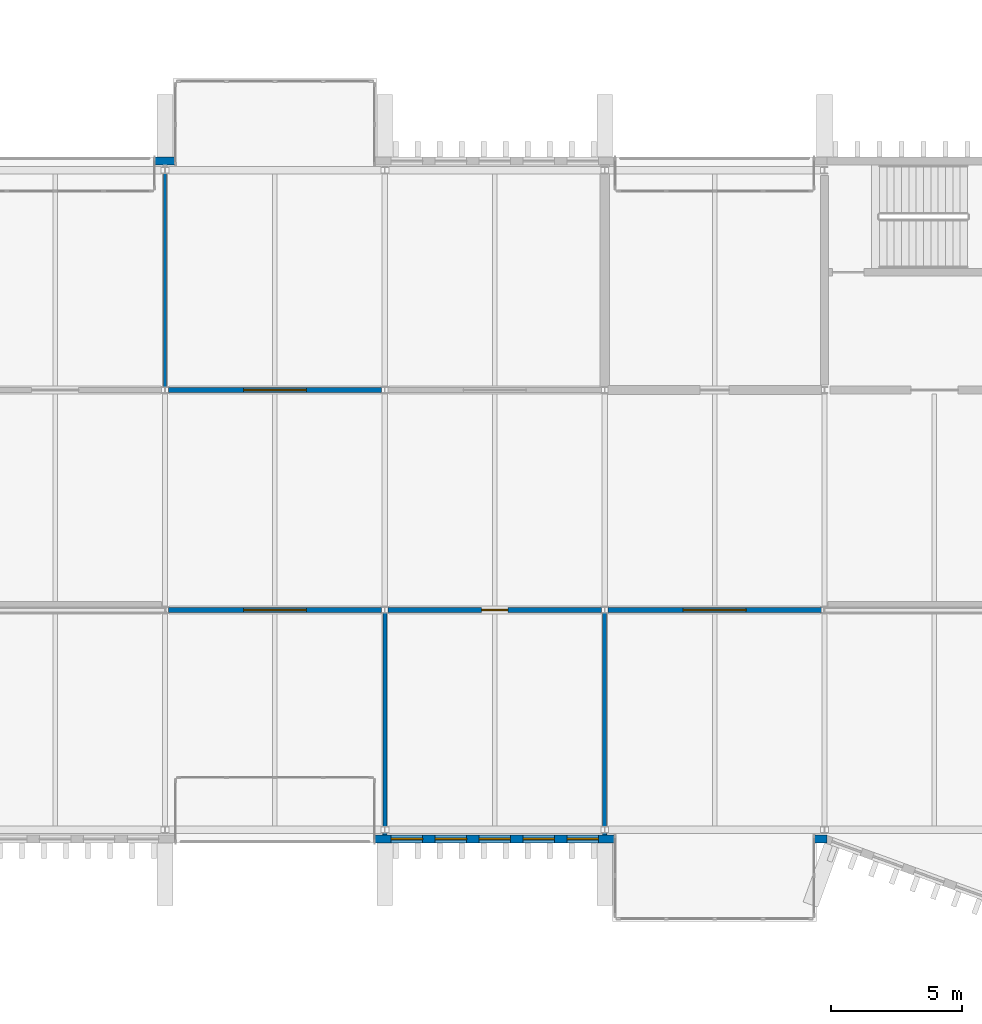
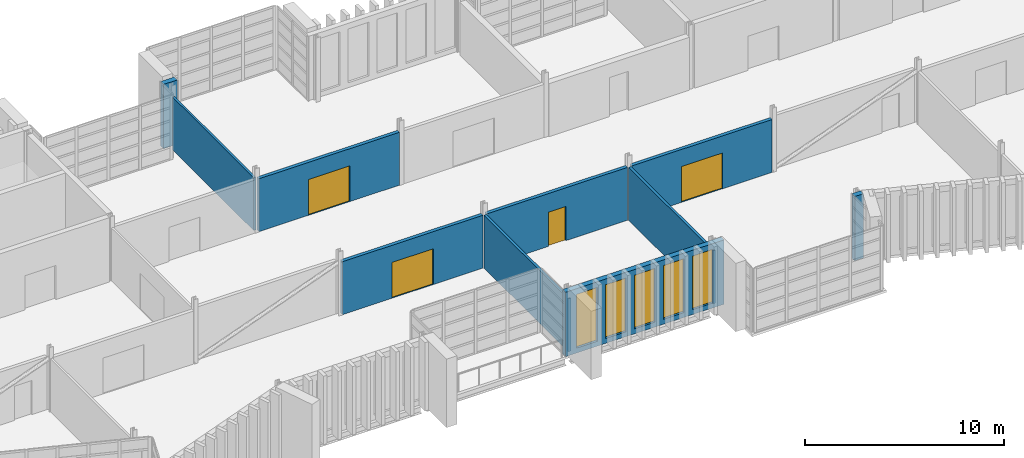
# One storey, part 57 of 88: 12 walls, 5 windows, 4 doors, 9 openings.
"""IFC4 building model written with IfcOpenShell, lengths in metres."""

from ifc_helpers import new_model, si_unit, direction, frame, frame_2d, origin, place, context, subcontext, project, spatial, rectangle, extrude, material, layer, layer_set, type_object, element, fill, save


model = new_model("IFC4")

# Units and contexts
model_context = context("Model", 3, precision=1e-05, world=origin(), true_north=direction((0.0, 1.0)))
body_context = subcontext(model_context, "Body", "Model", "MODEL_VIEW")
ifc_project = project(units=[si_unit("LENGTHUNIT", "METRE"), si_unit("AREAUNIT", "SQUARE_METRE"), si_unit("VOLUMEUNIT", "CUBIC_METRE"), si_unit("PLANEANGLEUNIT", "RADIAN"), si_unit("MASSUNIT", "GRAM", prefix="KILO")], contexts=[model_context])

# Site, building, storey
site_placement = place(None, origin())
site = spatial("IfcSite", under=ifc_project, at=site_placement, CompositionType="ELEMENT")
building_placement = place(site_placement, origin())
building = spatial("IfcBuilding", under=site, at=building_placement, Name="Cresset Court Congress Hotel", CompositionType="ELEMENT")
storey_placement = place(building_placement, frame((0.0, 0.0, 14.39990234375)))
storey = spatial("IfcBuildingStorey", under=building, at=storey_placement, Name="L03", CompositionType="ELEMENT", Elevation=14.39990234375)

# Wall, openings, windows
ifc_material_1 = material(Name="Concrete C40", Category="concrete")
ifc_layer_1 = layer(ifc_material_1, 0.300048828125)
ifc_layer_set_1 = layer_set([ifc_layer_1], Name="External wall 300 Concrete C40")
wall_type_1 = type_object("IfcWallType", Name="External wall 300 Concrete C40", PredefinedType="SOLIDWALL", material=ifc_layer_set_1)
wall_1_placement = place(storey_placement, frame((83.60009765625, -0.35009765625, 0.0), z_axis=(0.0, 0.0, 1.0), x_axis=(1.0, 0.0, 0.0)))
wall_1 = element("IfcWall", 1, at=wall_1_placement, inside=storey, type_object=wall_type_1, Name="External wall", PredefinedType="SOLIDWALL", context=body_context, shape_type="SweptSolid", body=[
    extrude(rectangle(XDim=9.199951171875, YDim=0.300048828125, at=frame_2d((4.60009765625, 0.0))), origin(), (0.0, 0.0, 1.0), 3.9501953125),
])
opening_1_placement = place(wall_1_placement, frame((0.639892578125, 0.0, 0.300048828125)))
opening_1 = element("IfcOpeningElement", 2, at=opening_1_placement, cuts=wall_1, Name="Opening NB-03-06", PredefinedType="OPENING", context=body_context, shape_type="SweptSolid", body=[
    extrude(rectangle(XDim=1.199951171875, YDim=3.300048828125, at=frame_2d((0.60009765625, 1.64990234375))), frame((0.0, 0.159912109375, 0.0), z_axis=(0.0, -1.0, 0.0), x_axis=(1.0, 0.0, 0.0)), (0.0, 0.0, 1.0), 0.320068359375),
])
opening_2_placement = place(wall_1_placement, frame((2.320068359375, 0.0, 0.300048828125)))
opening_2 = element("IfcOpeningElement", 3, at=opening_2_placement, cuts=wall_1, Name="Opening NB-03-07", PredefinedType="OPENING", context=body_context, shape_type="SweptSolid", body=[
    extrude(rectangle(XDim=1.199951171875, YDim=3.300048828125, at=frame_2d((0.60009765625, 1.64990234375))), frame((0.0, 0.159912109375, 0.0), z_axis=(0.0, -1.0, 0.0), x_axis=(1.0, 0.0, 0.0)), (0.0, 0.0, 1.0), 0.320068359375),
])
opening_3_placement = place(wall_1_placement, frame((4.0, 0.0, 0.300048828125)))
opening_3 = element("IfcOpeningElement", 4, at=opening_3_placement, cuts=wall_1, Name="Opening NB-03-08", PredefinedType="OPENING", context=body_context, shape_type="SweptSolid", body=[
    extrude(rectangle(XDim=1.199951171875, YDim=3.300048828125, at=frame_2d((0.60009765625, 1.64990234375))), frame((0.0, 0.159912109375, 0.0), z_axis=(0.0, -1.0, 0.0), x_axis=(1.0, 0.0, 0.0)), (0.0, 0.0, 1.0), 0.320068359375),
])
opening_4_placement = place(wall_1_placement, frame((5.679931640625, 0.0, 0.300048828125)))
opening_4 = element("IfcOpeningElement", 5, at=opening_4_placement, cuts=wall_1, Name="Opening NB-03-09", PredefinedType="OPENING", context=body_context, shape_type="SweptSolid", body=[
    extrude(rectangle(XDim=1.199951171875, YDim=3.300048828125, at=frame_2d((0.60009765625, 1.64990234375))), frame((0.0, 0.159912109375, 0.0), z_axis=(0.0, -1.0, 0.0), x_axis=(1.0, 0.0, 0.0)), (0.0, 0.0, 1.0), 0.320068359375),
])
opening_5_placement = place(wall_1_placement, frame((7.360107421875, 0.0, 0.300048828125)))
opening_5 = element("IfcOpeningElement", 6, at=opening_5_placement, cuts=wall_1, Name="Opening NB-03-10", PredefinedType="OPENING", context=body_context, shape_type="SweptSolid", body=[
    extrude(rectangle(XDim=1.199951171875, YDim=3.300048828125, at=frame_2d((0.60009765625, 1.64990234375))), frame((0.0, 0.159912109375, 0.0), z_axis=(0.0, -1.0, 0.0), x_axis=(1.0, 0.0, 0.0)), (0.0, 0.0, 1.0), 0.320068359375),
])
ifc_material_2 = material(Name="Aluminium frame with double glazing", Category="aluminium")
window_type = type_object("IfcWindowType", Name="Window 1200x3300", PartitioningType="TRIPLE_PANEL_VERTICAL", PredefinedType="WINDOW", material=ifc_material_2)
window_1_placement = place(opening_1_placement, origin())
window_1 = element("IfcWindow", 7, at=window_1_placement, inside=storey, type_object=window_type, Name="Window NB-03-06", OverallHeight=3.300048828125, OverallWidth=1.199951171875, PartitioningType="TRIPLE_PANEL_VERTICAL", PredefinedType="WINDOW", context=body_context, shape_type="SweptSolid", body=[
    extrude(rectangle(XDim=1.199951171875, YDim=3.300048828125, at=frame_2d((0.60009765625, 1.64990234375))), frame((0.0, 0.030029296875, 0.0), z_axis=(0.0, -1.0, 0.0), x_axis=(1.0, 0.0, 0.0)), (0.0, 0.0, 1.0), 0.06005859375),
])
fill(opening_1, window_1)
window_2_placement = place(opening_2_placement, origin())
window_2 = element("IfcWindow", 8, at=window_2_placement, inside=storey, type_object=window_type, Name="Window NB-03-07", OverallHeight=3.300048828125, OverallWidth=1.199951171875, PartitioningType="TRIPLE_PANEL_VERTICAL", PredefinedType="WINDOW", context=body_context, shape_type="SweptSolid", body=[
    extrude(rectangle(XDim=1.199951171875, YDim=3.300048828125, at=frame_2d((0.60009765625, 1.64990234375))), frame((0.0, 0.030029296875, 0.0), z_axis=(0.0, -1.0, 0.0), x_axis=(1.0, 0.0, 0.0)), (0.0, 0.0, 1.0), 0.06005859375),
])
fill(opening_2, window_2)
window_3_placement = place(opening_3_placement, origin())
window_3 = element("IfcWindow", 9, at=window_3_placement, inside=storey, type_object=window_type, Name="Window NB-03-08", OverallHeight=3.300048828125, OverallWidth=1.199951171875, PartitioningType="TRIPLE_PANEL_VERTICAL", PredefinedType="WINDOW", context=body_context, shape_type="SweptSolid", body=[
    extrude(rectangle(XDim=1.199951171875, YDim=3.300048828125, at=frame_2d((0.60009765625, 1.64990234375))), frame((0.0, 0.030029296875, 0.0), z_axis=(0.0, -1.0, 0.0), x_axis=(1.0, 0.0, 0.0)), (0.0, 0.0, 1.0), 0.06005859375),
])
fill(opening_3, window_3)
window_4_placement = place(opening_4_placement, origin())
window_4 = element("IfcWindow", 10, at=window_4_placement, inside=storey, type_object=window_type, Name="Window NB-03-09", OverallHeight=3.300048828125, OverallWidth=1.199951171875, PartitioningType="TRIPLE_PANEL_VERTICAL", PredefinedType="WINDOW", context=body_context, shape_type="SweptSolid", body=[
    extrude(rectangle(XDim=1.199951171875, YDim=3.300048828125, at=frame_2d((0.60009765625, 1.64990234375))), frame((0.0, 0.030029296875, 0.0), z_axis=(0.0, -1.0, 0.0), x_axis=(1.0, 0.0, 0.0)), (0.0, 0.0, 1.0), 0.06005859375),
])
fill(opening_4, window_4)
window_5_placement = place(opening_5_placement, origin())
window_5 = element("IfcWindow", 11, at=window_5_placement, inside=storey, type_object=window_type, Name="Window NB-03-10", OverallHeight=3.300048828125, OverallWidth=1.199951171875, PartitioningType="TRIPLE_PANEL_VERTICAL", PredefinedType="WINDOW", context=body_context, shape_type="SweptSolid", body=[
    extrude(rectangle(XDim=1.199951171875, YDim=3.300048828125, at=frame_2d((0.60009765625, 1.64990234375))), frame((0.0, 0.030029296875, 0.0), z_axis=(0.0, -1.0, 0.0), x_axis=(1.0, 0.0, 0.0)), (0.0, 0.0, 1.0), 0.06005859375),
])
fill(opening_5, window_5)

# Walls
wall_2_placement = place(storey_placement, frame((100.39990234375, -0.35009765625, 0.0), z_axis=(0.0, 0.0, 1.0), x_axis=(1.0, 0.0, 0.0)))
element("IfcWall", 12, at=wall_2_placement, inside=storey, type_object=wall_type_1, Name="External wall", PredefinedType="SOLIDWALL", context=body_context, shape_type="SweptSolid", body=[
    extrude(rectangle(XDim=0.5, YDim=0.300048828125, at=frame_2d((0.25, 0.0))), origin(), (0.0, 0.0, 1.0), 3.9501953125),
])
wall_3_placement = place(storey_placement, frame((75.199951171875, 25.550048828125, 0.0), z_axis=(0.0, 0.0, 1.0), x_axis=(1.0, 0.0, 0.0)))
element("IfcWall", 13, at=wall_3_placement, inside=storey, type_object=wall_type_1, Name="External wall", PredefinedType="SOLIDWALL", context=body_context, shape_type="SweptSolid", body=[
    extrude(rectangle(XDim=0.800048828125, YDim=0.300048828125, at=frame_2d((0.39990234375, 0.0))), origin(), (0.0, 0.0, 1.0), 3.9501953125),
])

# Wall, opening, door
ifc_material_3 = material(Name="Gypsum board on steel studs", Category="steel")
ifc_layer_2 = layer(ifc_material_3, 0.199951171875)
ifc_layer_set_2 = layer_set([ifc_layer_2], Name="Foyer wall 200")
wall_type_2 = type_object("IfcWallType", Name="Foyer wall 200", PredefinedType="PARTITIONING", material=ifc_layer_set_2)
wall_4_placement = place(storey_placement, frame((75.72509765625, 8.39990234375, 0.0), z_axis=(0.0, 0.0, 1.0), x_axis=(1.0, 0.0, 0.0)))
wall_4 = element("IfcWall", 14, at=wall_4_placement, inside=storey, type_object=wall_type_2, Name="Foyer wall", PredefinedType="PARTITIONING", context=body_context, shape_type="SweptSolid", body=[
    extrude(rectangle(XDim=8.14990234375, YDim=0.199951171875, at=frame_2d((4.074951171875, 0.0))), origin(), (0.0, 0.0, 1.0), 3.25),
])
opening_6_placement = place(wall_4_placement, frame((2.875, 0.0, 0.0)))
opening_6 = element("IfcOpeningElement", 15, at=opening_6_placement, cuts=wall_4, Name="Opening DB-03-08", PredefinedType="OPENING", context=body_context, shape_type="SweptSolid", body=[
    extrude(rectangle(XDim=2.39990234375, YDim=2.199951171875, at=frame_2d((1.199951171875, 1.10009765625))), frame((0.0, 0.10986328125, 0.0), z_axis=(0.0, -1.0, 0.0), x_axis=(1.0, 0.0, 0.0)), (0.0, 0.0, 1.0), 0.219970703125),
])
ifc_material_4 = material(Name="Timber and steel frame", Category="steel")
door_type_1 = type_object("IfcDoorType", Name="Fire door FD30 double 2400x2200", OperationType="DOUBLE_DOOR_SINGLE_SWING", PredefinedType="DOOR", material=ifc_material_4)
door_1_placement = place(opening_6_placement, origin())
door_1 = element("IfcDoor", 16, at=door_1_placement, inside=storey, type_object=door_type_1, Name="Meeting Room door", OperationType="DOUBLE_DOOR_SINGLE_SWING", OverallHeight=2.199951171875, OverallWidth=2.39990234375, PredefinedType="DOOR", context=body_context, shape_type="SweptSolid", body=[
    extrude(rectangle(XDim=2.39990234375, YDim=2.199951171875, at=frame_2d((1.199951171875, 1.10009765625))), frame((0.0, 0.02490234375, 0.0), z_axis=(0.0, -1.0, 0.0), x_axis=(1.0, 0.0, 0.0)), (0.0, 0.0, 1.0), 0.050048828125),
])
fill(opening_6, door_1)

wall_5_placement = place(storey_placement, frame((84.125, 8.39990234375, 0.0), z_axis=(0.0, 0.0, 1.0), x_axis=(1.0, 0.0, 0.0)))
wall_5 = element("IfcWall", 17, at=wall_5_placement, inside=storey, type_object=wall_type_2, Name="Foyer wall", PredefinedType="PARTITIONING", context=body_context, shape_type="SweptSolid", body=[
    extrude(rectangle(XDim=8.14990234375, YDim=0.199951171875, at=frame_2d((4.074951171875, 0.0))), origin(), (0.0, 0.0, 1.0), 3.25),
])
opening_7_placement = place(wall_5_placement, frame((3.574951171875, 0.0, 0.0)))
opening_7 = element("IfcOpeningElement", 18, at=opening_7_placement, cuts=wall_5, Name="Opening DB-03-09", PredefinedType="OPENING", context=body_context, shape_type="SweptSolid", body=[
    extrude(rectangle(XDim=1.0, YDim=2.10009765625, at=frame_2d((0.5, 1.050048828125))), frame((0.0, 0.10986328125, 0.0), z_axis=(0.0, -1.0, 0.0), x_axis=(1.0, 0.0, 0.0)), (0.0, 0.0, 1.0), 0.219970703125),
])
ifc_material_5 = material(Name="Timber and steel frame", Category="steel")
door_type_2 = type_object("IfcDoorType", Name="Fire door FD30 single 1000x2100", OperationType="SINGLE_SWING_LEFT", PredefinedType="DOOR", material=ifc_material_5)
door_2_placement = place(opening_7_placement, origin())
door_2 = element("IfcDoor", 19, at=door_2_placement, inside=storey, type_object=door_type_2, Name="Interpreter Room door", OperationType="SINGLE_SWING_LEFT", OverallHeight=2.10009765625, OverallWidth=1.0, PredefinedType="DOOR", context=body_context, shape_type="SweptSolid", body=[
    extrude(rectangle(XDim=1.0, YDim=2.10009765625, at=frame_2d((0.5, 1.050048828125))), frame((0.0, 0.02490234375, 0.0), z_axis=(0.0, -1.0, 0.0), x_axis=(1.0, 0.0, 0.0)), (0.0, 0.0, 1.0), 0.050048828125),
])
fill(opening_7, door_2)

wall_6_placement = place(storey_placement, frame((92.52490234375, 8.39990234375, 0.0), z_axis=(0.0, 0.0, 1.0), x_axis=(1.0, 0.0, 0.0)))
wall_6 = element("IfcWall", 20, at=wall_6_placement, inside=storey, type_object=wall_type_2, Name="Foyer wall", PredefinedType="PARTITIONING", context=body_context, shape_type="SweptSolid", body=[
    extrude(rectangle(XDim=8.150146484375, YDim=0.199951171875, at=frame_2d((4.0751953125, 0.0))), origin(), (0.0, 0.0, 1.0), 3.25),
])
opening_8_placement = place(wall_6_placement, frame((2.875, 0.0, 0.0)))
opening_8 = element("IfcOpeningElement", 21, at=opening_8_placement, cuts=wall_6, Name="Opening DB-03-10", PredefinedType="OPENING", context=body_context, shape_type="SweptSolid", body=[
    extrude(rectangle(XDim=2.39990234375, YDim=2.199951171875, at=frame_2d((1.199951171875, 1.10009765625))), frame((0.0, 0.10986328125, 0.0), z_axis=(0.0, -1.0, 0.0), x_axis=(1.0, 0.0, 0.0)), (0.0, 0.0, 1.0), 0.219970703125),
])
door_3_placement = place(opening_8_placement, origin())
door_3 = element("IfcDoor", 22, at=door_3_placement, inside=storey, type_object=door_type_1, Name="Meeting Room door", OperationType="DOUBLE_DOOR_SINGLE_SWING", OverallHeight=2.199951171875, OverallWidth=2.39990234375, PredefinedType="DOOR", context=body_context, shape_type="SweptSolid", body=[
    extrude(rectangle(XDim=2.39990234375, YDim=2.199951171875, at=frame_2d((1.199951171875, 1.10009765625))), frame((0.0, 0.02490234375, 0.0), z_axis=(0.0, -1.0, 0.0), x_axis=(1.0, 0.0, 0.0)), (0.0, 0.0, 1.0), 0.050048828125),
])
fill(opening_8, door_3)

wall_7_placement = place(storey_placement, frame((75.72509765625, 16.800048828125, 0.0), z_axis=(0.0, 0.0, 1.0), x_axis=(1.0, 0.0, 0.0)))
wall_7 = element("IfcWall", 23, at=wall_7_placement, inside=storey, type_object=wall_type_2, Name="Foyer wall", PredefinedType="PARTITIONING", context=body_context, shape_type="SweptSolid", body=[
    extrude(rectangle(XDim=8.14990234375, YDim=0.199951171875, at=frame_2d((4.074951171875, 0.0))), origin(), (0.0, 0.0, 1.0), 3.25),
])
opening_9_placement = place(wall_7_placement, frame((2.875, 0.0, 0.0)))
opening_9 = element("IfcOpeningElement", 24, at=opening_9_placement, cuts=wall_7, Name="Opening DB-03-21", PredefinedType="OPENING", context=body_context, shape_type="SweptSolid", body=[
    extrude(rectangle(XDim=2.39990234375, YDim=2.199951171875, at=frame_2d((1.199951171875, 1.10009765625))), frame((0.0, 0.10986328125, 0.0), z_axis=(0.0, -1.0, 0.0), x_axis=(1.0, 0.0, 0.0)), (0.0, 0.0, 1.0), 0.219970703125),
])
door_4_placement = place(opening_9_placement, origin())
door_4 = element("IfcDoor", 25, at=door_4_placement, inside=storey, type_object=door_type_1, Name="Meeting Room door", OperationType="DOUBLE_DOOR_SINGLE_SWING", OverallHeight=2.199951171875, OverallWidth=2.39990234375, PredefinedType="DOOR", context=body_context, shape_type="SweptSolid", body=[
    extrude(rectangle(XDim=2.39990234375, YDim=2.199951171875, at=frame_2d((1.199951171875, 1.10009765625))), frame((0.0, 0.02490234375, 0.0), z_axis=(0.0, -1.0, 0.0), x_axis=(1.0, 0.0, 0.0)), (0.0, 0.0, 1.0), 0.050048828125),
])
fill(opening_9, door_4)

# Walls
ifc_material_6 = material(Name="Laminated timber panels", Category="wood")
ifc_layer_3 = layer(ifc_material_6, 0.125)
ifc_layer_set_3 = layer_set([ifc_layer_3], Name="Operable partition 125")
wall_type_3 = type_object("IfcWallType", Name="Operable partition 125", PredefinedType="MOVABLE", material=ifc_layer_set_3)
wall_8_placement = place(storey_placement, frame((75.60009765625, 16.925048828125, 0.0), z_axis=(0.0, 0.0, 1.0), x_axis=(0.0, 1.0, 0.0)))
element("IfcWall", 26, at=wall_8_placement, inside=storey, type_object=wall_type_3, Name="Operable partition", PredefinedType="MOVABLE", context=body_context, shape_type="SweptSolid", body=[
    extrude(rectangle(XDim=8.14990234375, YDim=0.125, at=frame_2d((4.074951171875, 0.0))), origin(), (0.0, 0.0, 1.0), 3.25),
])
ifc_material_7 = material(Name="Gypsum board on steel studs", Category="steel")
ifc_layer_4 = layer(ifc_material_7, 0.14990234375)
ifc_layer_set_4 = layer_set([ifc_layer_4], Name="Partition 150")
wall_type_4 = type_object("IfcWallType", Name="Partition 150", PredefinedType="PARTITIONING", material=ifc_layer_set_4)
wall_9_placement = place(storey_placement, frame((84.0, -0.199951171875, 0.0), z_axis=(0.0, 0.0, 1.0), x_axis=(0.0, 1.0, 0.0)))
element("IfcWall", 27, at=wall_9_placement, inside=storey, type_object=wall_type_4, Name="Partition", PredefinedType="PARTITIONING", context=body_context, shape_type="SweptSolid", body=[
    extrude(rectangle(XDim=0.074951171875, YDim=0.14990234375, at=frame_2d((0.03759765625, 0.0))), origin(), (0.0, 0.0, 1.0), 3.25),
])
wall_10_placement = place(storey_placement, frame((84.0, 0.125, 0.0), z_axis=(0.0, 0.0, 1.0), x_axis=(0.0, 1.0, 0.0)))
element("IfcWall", 28, at=wall_10_placement, inside=storey, type_object=wall_type_4, Name="Partition", PredefinedType="PARTITIONING", context=body_context, shape_type="SweptSolid", body=[
    extrude(rectangle(XDim=8.14990234375, YDim=0.14990234375, at=frame_2d((4.074951171875, 0.0))), origin(), (0.0, 0.0, 1.0), 3.25),
])
wall_11_placement = place(storey_placement, frame((92.39990234375, -0.199951171875, 0.0), z_axis=(0.0, 0.0, 1.0), x_axis=(0.0, 1.0, 0.0)))
element("IfcWall", 29, at=wall_11_placement, inside=storey, type_object=wall_type_4, Name="Partition", PredefinedType="PARTITIONING", context=body_context, shape_type="SweptSolid", body=[
    extrude(rectangle(XDim=0.074951171875, YDim=0.14990234375, at=frame_2d((0.03759765625, 0.0))), origin(), (0.0, 0.0, 1.0), 3.25),
])
wall_12_placement = place(storey_placement, frame((92.39990234375, 0.125, 0.0), z_axis=(0.0, 0.0, 1.0), x_axis=(0.0, 1.0, 0.0)))
element("IfcWall", 30, at=wall_12_placement, inside=storey, type_object=wall_type_4, Name="Partition", PredefinedType="PARTITIONING", context=body_context, shape_type="SweptSolid", body=[
    extrude(rectangle(XDim=8.14990234375, YDim=0.14990234375, at=frame_2d((4.074951171875, 0.0))), origin(), (0.0, 0.0, 1.0), 3.25),
])

save(model, "model.ifc")
